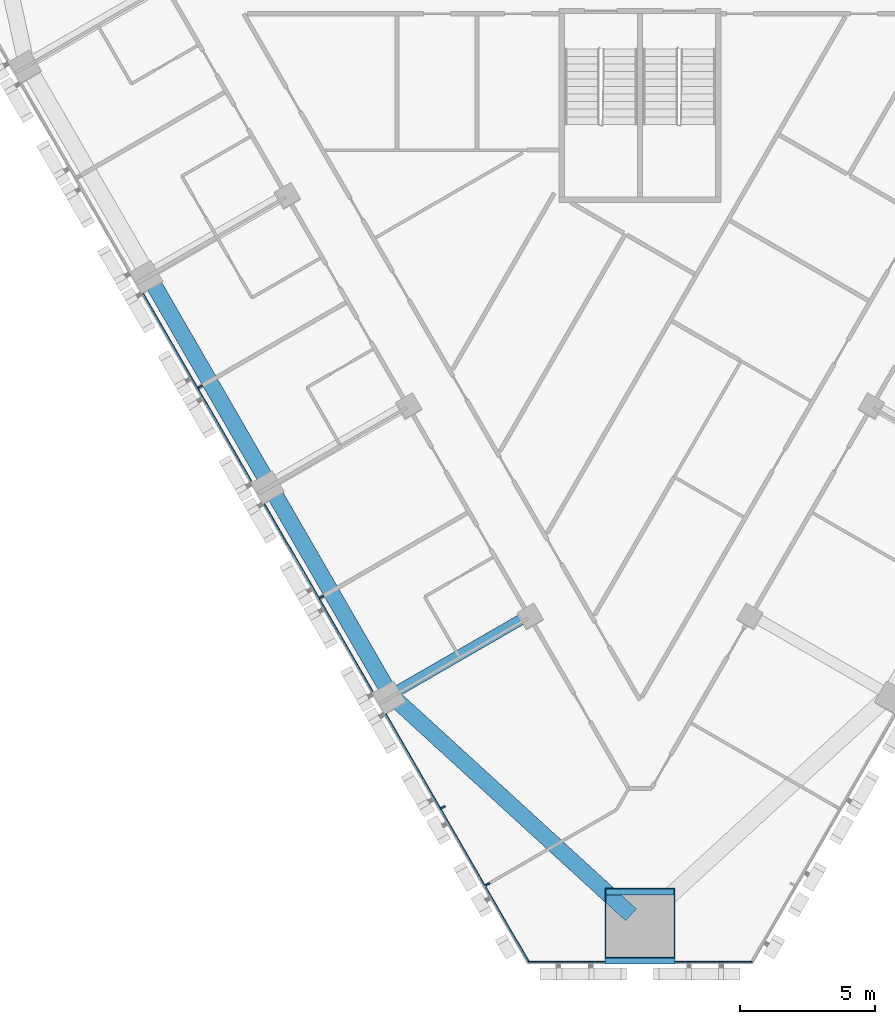
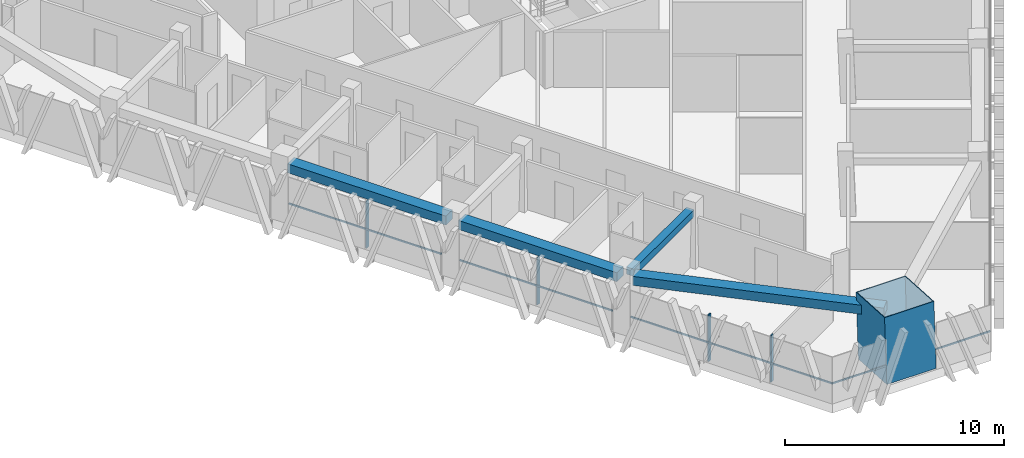
# One storey, part 2 of 16: 10 members, 4 beams, 2 elements without a shape of their own.
"""IFC4 building model written with IfcOpenShell, lengths in metres."""

from ifc_helpers import new_model, si_unit, direction, frame, origin, origin_2d, place, context, subcontext, project, spatial, rectangle, hollow_rectangle, extrude, material, layer, layer_set, material_profile, profile_set, type_object, element, aggregate, save


model = new_model("IFC4")

# Units and contexts
model_context = context("Model", 3, precision=1e-05, world=origin(), true_north=direction((0.0, 1.0)))
body_context = subcontext(model_context, "Body", "Model", "MODEL_VIEW")
ifc_project = project(units=[si_unit("LENGTHUNIT", "METRE"), si_unit("AREAUNIT", "SQUARE_METRE"), si_unit("VOLUMEUNIT", "CUBIC_METRE"), si_unit("PLANEANGLEUNIT", "RADIAN"), si_unit("MASSUNIT", "GRAM", prefix="KILO")], contexts=[model_context])

# Site, building, storey
site_placement = place(None, origin())
site = spatial("IfcSite", under=ifc_project, at=site_placement, CompositionType="ELEMENT")
building_placement = place(site_placement, origin())
building = spatial("IfcBuilding", under=site, at=building_placement, Name="Altiplano Prism Tower", CompositionType="ELEMENT")
storey_placement = place(building_placement, frame((0.0, 0.0, 104.39990234375)))
storey = spatial("IfcBuildingStorey", under=building, at=storey_placement, Name="L26", CompositionType="ELEMENT", Elevation=104.39990234375)

# Curtain wall, members
ifc_material_1 = material(Name="Aluminium and glass", Category="aluminium")
ifc_layer = layer(ifc_material_1, 0.280029296875)
ifc_layer_set = layer_set([ifc_layer], Name="Aluminium and glass")
curtain_wall_type = type_object("IfcCurtainWallType", Name="CW1 typical co-living unitised curtain wall", PredefinedType="NOTDEFINED", material=ifc_layer_set)
curtain_wall_1_placement = place(storey_placement, origin())
curtain_wall_1 = element("IfcCurtainWall", 1, at=curtain_wall_1_placement, inside=storey, type_object=curtain_wall_type, Name="CW1 curtain wall south-west face L26", PredefinedType="NOTDEFINED")
ifc_material_2 = material(Name="Aluminium", Category="aluminium")
ifc_material_profile_1 = material_profile(ifc_material_2, rectangle(XDim=0.179931640625, YDim=0.06494140625, at=origin_2d()), Name="CW1 mullion 65 x 180")
ifc_profile_set_1 = profile_set([ifc_material_profile_1], Name="Aluminium")
member_type_1 = type_object("IfcMemberType", Name="CW1 mullion 65 x 180", PredefinedType="MULLION", material=ifc_profile_set_1)
member_1_placement = place(storey_placement, frame((68.69775390625, 76.57373046875, 0.0), z_axis=(0.0, 0.0, 1.0), x_axis=(0.866025401838, 0.500000003371, 0.0)))
member_1 = element("IfcMember", 2, at=member_1_placement, type_object=member_type_1, Name="CW1 mullion", PredefinedType="MULLION", context=body_context, shape_type="SweptSolid", body=[
    extrude(rectangle(XDim=0.179931640625, YDim=0.06494140625, at=origin_2d()), origin(), (0.0, 0.0, 1.0), 2.60009765625),
])
member_2_placement = place(storey_placement, frame((73.19775390625, 68.779541015625, 0.0), z_axis=(0.0, 0.0, 1.0), x_axis=(0.866025401838, 0.500000003371, 0.0)))
member_2 = element("IfcMember", 3, at=member_2_placement, type_object=member_type_1, Name="CW1 mullion", PredefinedType="MULLION", context=body_context, shape_type="SweptSolid", body=[
    extrude(rectangle(XDim=0.179931640625, YDim=0.06494140625, at=origin_2d()), origin(), (0.0, 0.0, 1.0), 2.60009765625),
])
member_3_placement = place(storey_placement, frame((77.69775390625, 60.9853515625, 0.0), z_axis=(0.0, 0.0, 1.0), x_axis=(0.866025401838, 0.500000003371, 0.0)))
member_3 = element("IfcMember", 4, at=member_3_placement, type_object=member_type_1, Name="CW1 mullion", PredefinedType="MULLION", context=body_context, shape_type="SweptSolid", body=[
    extrude(rectangle(XDim=0.179931640625, YDim=0.06494140625, at=origin_2d()), origin(), (0.0, 0.0, 1.0), 2.60009765625),
])
member_4_placement = place(storey_placement, frame((79.344970703125, 58.13232421875, 0.0), z_axis=(0.0, 0.0, 1.0), x_axis=(0.866025401838, 0.500000003371, 0.0)))
member_4 = element("IfcMember", 5, at=member_4_placement, type_object=member_type_1, Name="CW1 mullion", PredefinedType="MULLION", context=body_context, shape_type="SweptSolid", body=[
    extrude(rectangle(XDim=0.179931640625, YDim=0.06494140625, at=origin_2d()), origin(), (0.0, 0.0, 1.0), 2.60009765625),
])
ifc_material_profile_2 = material_profile(ifc_material_2, rectangle(XDim=0.06005859375, YDim=0.080078125, at=origin_2d()), Name="CW1 transom 80 x 60")
ifc_profile_set_2 = profile_set([ifc_material_profile_2], Name="Aluminium")
member_type_2 = type_object("IfcMemberType", Name="CW1 transom 80 x 60", PredefinedType="USERDEFINED", material=ifc_profile_set_2)
member_5_placement = place(storey_placement, frame((66.569091796875, 80.0205078125, 1.10009765625), z_axis=(0.500012318566, -0.86601829154, 0.0), x_axis=(0.86601829154, 0.500012318566, 0.0)))
member_5 = element("IfcMember", 6, at=member_5_placement, type_object=member_type_2, Name="CW1 transom", ObjectType="TRANSOM", PredefinedType="USERDEFINED", context=body_context, shape_type="SweptSolid", body=[
    extrude(rectangle(XDim=0.06005859375, YDim=0.080078125, at=origin_2d()), origin(), (0.0, 0.0, 1.0), 8.019775390625),
])
member_6_placement = place(storey_placement, frame((71.069091796875, 72.226318359375, 1.10009765625), z_axis=(0.500012318566, -0.86601829154, 0.0), x_axis=(0.86601829154, 0.500012318566, 0.0)))
member_6 = element("IfcMember", 7, at=member_6_placement, type_object=member_type_2, Name="CW1 transom", ObjectType="TRANSOM", PredefinedType="USERDEFINED", context=body_context, shape_type="SweptSolid", body=[
    extrude(rectangle(XDim=0.06005859375, YDim=0.080078125, at=origin_2d()), origin(), (0.0, 0.0, 1.0), 8.019775390625),
])
member_7_placement = place(storey_placement, frame((75.569091796875, 64.43212890625, 1.10009765625), z_axis=(0.499994622606, -0.866028508402, 0.0), x_axis=(0.866028508402, 0.499994622606, 0.0)))
member_7 = element("IfcMember", 8, at=member_7_placement, type_object=member_type_2, Name="CW1 transom", ObjectType="TRANSOM", PredefinedType="USERDEFINED", context=body_context, shape_type="SweptSolid", body=[
    extrude(rectangle(XDim=0.06005859375, YDim=0.080078125, at=origin_2d()), origin(), (0.0, 0.0, 1.0), 10.6376953125),
])
aggregate(curtain_wall_1, [member_1, member_5, member_2, member_6, member_3, member_4, member_7])

curtain_wall_2_placement = place(storey_placement, origin())
curtain_wall_2 = element("IfcCurtainWall", 9, at=curtain_wall_2_placement, inside=storey, type_object=curtain_wall_type, Name="CW1 curtain wall south chamfer L26", PredefinedType="NOTDEFINED")
member_8_placement = place(storey_placement, frame((80.827392578125, 55.254638671875, 1.10009765625), z_axis=(1.0, 0.0, 0.0), x_axis=(0.0, 1.0, 0.0)))
member_8 = element("IfcMember", 10, at=member_8_placement, type_object=member_type_2, Name="CW1 transom", ObjectType="TRANSOM", PredefinedType="USERDEFINED", context=body_context, shape_type="SweptSolid", body=[
    extrude(rectangle(XDim=0.06005859375, YDim=0.080078125, at=origin_2d()), origin(), (0.0, 0.0, 1.0), 2.87255859375),
])
member_9_placement = place(storey_placement, frame((86.300048828125, 55.254638671875, 1.10009765625), z_axis=(1.0, 0.0, 0.0), x_axis=(0.0, 1.0, 0.0)))
member_9 = element("IfcMember", 11, at=member_9_placement, type_object=member_type_2, Name="CW1 transom", ObjectType="TRANSOM", PredefinedType="USERDEFINED", context=body_context, shape_type="SweptSolid", body=[
    extrude(rectangle(XDim=0.06005859375, YDim=0.080078125, at=origin_2d()), origin(), (0.0, 0.0, 1.0), 2.87255859375),
])
aggregate(curtain_wall_2, [member_8, member_9])

# Beams
ifc_material_3 = material(Name="Concrete C60/75", Category="concrete")
ifc_material_profile_3 = material_profile(ifc_material_3, rectangle(XDim=0.60009765625, YDim=0.5, at=origin_2d()), Name="Edge beam 600x500")
ifc_profile_set_3 = profile_set([ifc_material_profile_3], Name="Concrete C60/75")
beam_type_1 = type_object("IfcBeamType", Name="Edge beam 600x500", PredefinedType="SPANDREL", material=ifc_profile_set_3)
for number, where, z_axis, x_axis, name in (
    (12, (66.91796875, 80.45361328125, 2.85009765625), (0.499992746786, -0.866029591389, 0.0), (0.866029591389, 0.499992746786, 0.0), "Edge beam P12-P13 L27"),
    (13, (71.41796875, 72.659423828125, 2.85009765625), (0.499992746786, -0.866029591389, 0.0), (0.866029591389, 0.499992746786, 0.0), "Edge beam P13-P14 L27"),
):
    element("IfcBeam", number, at=place(storey_placement, frame(where, z_axis=z_axis, x_axis=x_axis)), inside=storey, type_object=beam_type_1, Name=name, PredefinedType="SPANDREL", context=body_context, shape_type="SweptSolid", body=[
        extrude(rectangle(XDim=0.60009765625, YDim=0.5, at=origin_2d()), origin(), (0.0, 0.0, 1.0), 8.33984375),
    ])
beam_1_placement = place(storey_placement, frame((76.0126953125, 64.913330078125, 2.85009765625), z_axis=(0.737979643208, -0.674822973979, 0.0), x_axis=(0.674822973979, 0.737979643208, 0.0)))
element("IfcBeam", 14, at=beam_1_placement, inside=storey, type_object=beam_type_1, Name="Edge beam P14-M1 L27", PredefinedType="SPANDREL", context=body_context, shape_type="SweptSolid", body=[
    extrude(rectangle(XDim=0.60009765625, YDim=0.5, at=origin_2d()), origin(), (0.0, 0.0, 1.0), 11.728271484375),
])

# Member
ifc_material_4 = material(Name="Steel S460", Category="steel")
ifc_material_profile_4 = material_profile(ifc_material_4, hollow_rectangle(XDim=2.60009765625, YDim=2.60009765625, WallThickness=0.0400390625, at=origin_2d()), Name="Mega column tube 2600")
ifc_profile_set_4 = profile_set([ifc_material_profile_4], Name="Steel S460")
member_type_3 = type_object("IfcMemberType", Name="Mega column tube 2600", PredefinedType="POST", material=ifc_profile_set_4)
member_10_placement = place(storey_placement, frame((85.0, 56.484619140625, 0.0), z_axis=(0.0, 0.058356907999, 0.998295783467), x_axis=(-1.0, 0.0, 0.0)))
element("IfcMember", 15, at=member_10_placement, inside=storey, type_object=member_type_3, Name="Mega column tube M1 L26", PredefinedType="POST", context=body_context, shape_type="SweptSolid", body=[
    extrude(hollow_rectangle(XDim=2.60009765625, YDim=2.60009765625, WallThickness=0.0400390625, at=origin_2d()), origin(), (0.0, 0.0, 1.0), 3.606201171875),
])

# Beam
ifc_material_profile_5 = material_profile(ifc_material_3, rectangle(XDim=0.39990234375, YDim=0.39990234375, at=origin_2d()), Name="Tie beam 400x400")
ifc_profile_set_5 = profile_set([ifc_material_profile_5], Name="Concrete C60/75")
beam_type_2 = type_object("IfcBeamType", Name="Tie beam 400x400", PredefinedType="BEAM", material=ifc_profile_set_5)
beam_2_placement = place(storey_placement, frame((80.793212890625, 68.06103515625, 2.900146484375), z_axis=(-0.866012292785, -0.50002270823, 0.0), x_axis=(0.50002270823, -0.866012292785, 0.0)))
element("IfcBeam", 16, at=beam_2_placement, inside=storey, type_object=beam_type_2, Name="Tie beam I14 L27", PredefinedType="BEAM", context=body_context, shape_type="SweptSolid", body=[
    extrude(rectangle(XDim=0.39990234375, YDim=0.39990234375, at=origin_2d()), origin(), (0.0, 0.0, 1.0), 5.489990234375),
])

save(model, "model.ifc")
